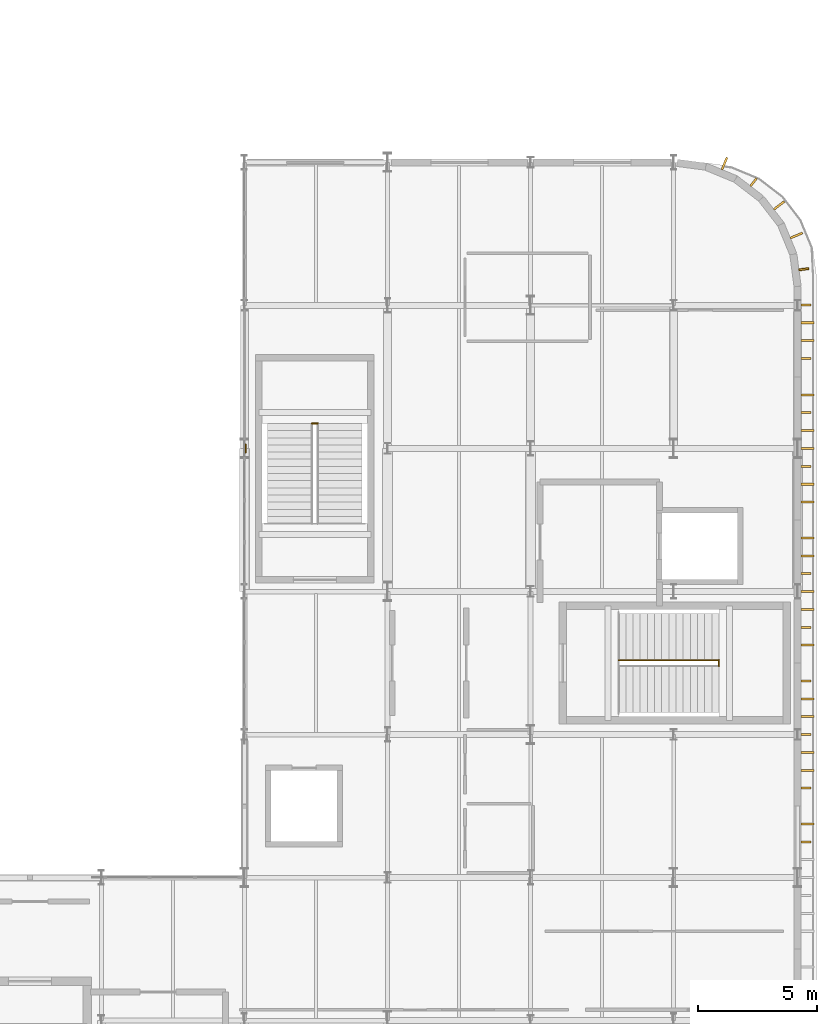
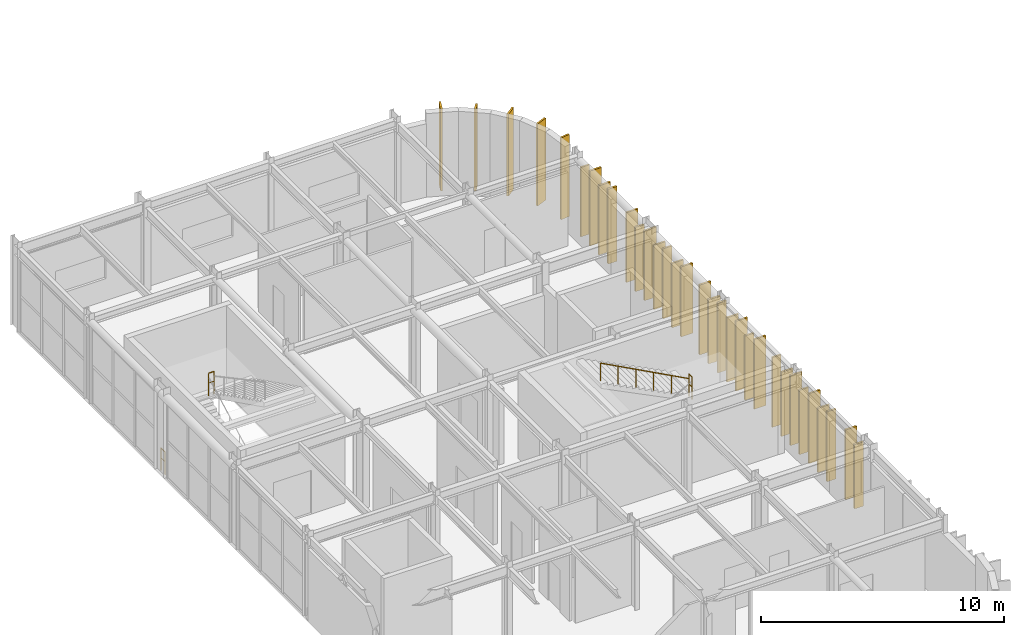
# One storey, part 83 of 84: 32 coverings, 4 railings.
"""IFC4 building model written with IfcOpenShell, lengths in metres."""

from ifc_helpers import new_model, si_unit, direction, frame, origin, origin_2d, place, context, subcontext, project, spatial, rectangle, circle, extrude, material, layer, layer_set, type_object, element, save


model = new_model("IFC4")

# Units and contexts
model_context = context("Model", 3, precision=1e-05, world=origin(), true_north=direction((0.0, 1.0)))
body_context = subcontext(model_context, "Body", "Model", "MODEL_VIEW")
ifc_project = project(units=[si_unit("LENGTHUNIT", "METRE"), si_unit("AREAUNIT", "SQUARE_METRE"), si_unit("VOLUMEUNIT", "CUBIC_METRE"), si_unit("PLANEANGLEUNIT", "RADIAN"), si_unit("MASSUNIT", "GRAM", prefix="KILO")], contexts=[model_context])

# Site, building, storey
site_placement = place(None, origin())
site = spatial("IfcSite", under=ifc_project, at=site_placement, CompositionType="ELEMENT")
building_placement = place(site_placement, origin())
building = spatial("IfcBuilding", under=site, at=building_placement, Name="Varnakota Square Police Headquarters", CompositionType="ELEMENT")
storey_placement = place(building_placement, frame((0.0, 0.0, 13.5)))
storey = spatial("IfcBuildingStorey", under=building, at=storey_placement, Name="L03", CompositionType="ELEMENT", Elevation=13.5)

# Coverings
ifc_material_1 = material(Name="White Anodised Aluminium Vertical Facade Blade 420", Category="aluminium")
ifc_layer_1 = layer(ifc_material_1, 0.0849609375, Name="White Anodised Aluminium Vertical Facade Blade 420")
ifc_layer_set_1 = layer_set([ifc_layer_1], Name="White Anodised Aluminium Vertical Facade Blade 420")
covering_type_1 = type_object("IfcCoveringType", Name="COV-FIN-420", PredefinedType="CLADDING", material=ifc_layer_set_1)
covering_1_placement = place(storey_placement, frame((161.554931640625, 16.5, 0.0400390625), z_axis=(0.0, 0.0, 1.0), x_axis=(0.0, 1.0, 0.0)))
element("IfcCovering", 1, at=covering_1_placement, inside=storey, type_object=covering_type_1, Name="Vertical aluminium facade fin FIN-0485", PredefinedType="CLADDING", context=body_context, shape_type="SweptSolid", body=[
    extrude(rectangle(XDim=0.0849609375, YDim=0.419921875, at=origin_2d()), origin(), (0.0, 0.0, 1.0), 3.22998046875),
])
covering_2_placement = place(storey_placement, frame((161.544921875, 18.75, 0.0400390625), z_axis=(0.0, 0.0, 1.0), x_axis=(0.0, 1.0, 0.0)))
element("IfcCovering", 2, at=covering_2_placement, inside=storey, type_object=covering_type_1, Name="Vertical aluminium facade fin FIN-0487", PredefinedType="CLADDING", context=body_context, shape_type="SweptSolid", body=[
    extrude(rectangle(XDim=0.0849609375, YDim=0.419921875, at=origin_2d()), origin(), (0.0, 0.0, 1.0), 3.510009765625),
])
covering_3_placement = place(storey_placement, frame((161.544921875, 21.0, 0.0400390625), z_axis=(0.0, 0.0, 1.0), x_axis=(0.0, 1.0, 0.0)))
element("IfcCovering", 3, at=covering_3_placement, inside=storey, type_object=covering_type_1, Name="Vertical aluminium facade fin FIN-0490", PredefinedType="CLADDING", context=body_context, shape_type="SweptSolid", body=[
    extrude(rectangle(XDim=0.0849609375, YDim=0.419921875, at=origin_2d()), origin(), (0.0, 0.0, 1.0), 3.22998046875),
])
covering_4_placement = place(storey_placement, frame((161.544921875, 23.25, 0.0400390625), z_axis=(0.0, 0.0, 1.0), x_axis=(0.0, 1.0, 0.0)))
element("IfcCovering", 4, at=covering_4_placement, inside=storey, type_object=covering_type_1, Name="Vertical aluminium facade fin FIN-0493", PredefinedType="CLADDING", context=body_context, shape_type="SweptSolid", body=[
    extrude(rectangle(XDim=0.0849609375, YDim=0.419921875, at=origin_2d()), origin(), (0.0, 0.0, 1.0), 3.510009765625),
])
covering_5_placement = place(storey_placement, frame((161.554931640625, 25.5, 0.0400390625), z_axis=(0.0, 0.0, 1.0), x_axis=(0.0, 1.0, 0.0)))
element("IfcCovering", 5, at=covering_5_placement, inside=storey, type_object=covering_type_1, Name="Vertical aluminium facade fin FIN-0495", PredefinedType="CLADDING", context=body_context, shape_type="SweptSolid", body=[
    extrude(rectangle(XDim=0.0849609375, YDim=0.419921875, at=origin_2d()), origin(), (0.0, 0.0, 1.0), 3.22998046875),
])
for number, where, z_axis, x_axis, name in (
    (6, (161.554931640625, 27.75, 0.0400390625), (0.0, 0.0, 1.0), (0.0, 1.0, 0.0), "Vertical aluminium facade fin FIN-0498"),
    (7, (161.544921875, 32.25, 0.0400390625), (0.0, 0.0, 1.0), (0.0, 1.0, 0.0), "Vertical aluminium facade fin FIN-0503"),
):
    element("IfcCovering", number, at=place(storey_placement, frame(where, z_axis=z_axis, x_axis=x_axis)), inside=storey, type_object=covering_type_1, Name=name, PredefinedType="CLADDING", context=body_context, shape_type="SweptSolid", body=[
        extrude(rectangle(XDim=0.0849609375, YDim=0.419921875, at=origin_2d()), origin(), (0.0, 0.0, 1.0), 3.510009765625),
    ])
covering_6_placement = place(storey_placement, frame((161.544921875, 34.5, 0.0400390625), z_axis=(0.0, 0.0, 1.0), x_axis=(0.0, 1.0, 0.0)))
element("IfcCovering", 8, at=covering_6_placement, inside=storey, type_object=covering_type_1, Name="Vertical aluminium facade fin FIN-0506", PredefinedType="CLADDING", context=body_context, shape_type="SweptSolid", body=[
    extrude(rectangle(XDim=0.0849609375, YDim=0.419921875, at=origin_2d()), origin(), (0.0, 0.0, 1.0), 3.22998046875),
])
covering_7_placement = place(storey_placement, frame((161.554931640625, 36.77490234375, 0.0400390625), z_axis=(0.0, 0.0, 1.0), x_axis=(0.0, 1.0, 0.0)))
element("IfcCovering", 9, at=covering_7_placement, inside=storey, type_object=covering_type_1, Name="Vertical aluminium facade fin FIN-0508", PredefinedType="CLADDING", context=body_context, shape_type="SweptSolid", body=[
    extrude(rectangle(XDim=0.0849609375, YDim=0.419921875, at=origin_2d()), origin(), (0.0, 0.0, 1.0), 3.760009765625),
])
covering_8_placement = place(storey_placement, frame((161.554931640625, 39.02490234375, 0.0400390625), z_axis=(0.0, 0.0, 1.0), x_axis=(0.0, 1.0, 0.0)))
element("IfcCovering", 10, at=covering_8_placement, inside=storey, type_object=covering_type_1, Name="Vertical aluminium facade fin FIN-0511", PredefinedType="CLADDING", context=body_context, shape_type="SweptSolid", body=[
    extrude(rectangle(XDim=0.0849609375, YDim=0.419921875, at=origin_2d()), origin(), (0.0, 0.0, 1.0), 3.47998046875),
])
for number, where, z_axis, x_axis, name in (
    (11, (161.46337890625, 40.519287109375, 0.0400390625), (0.0, 0.0, 1.0), (-0.13052619222, 0.991444861374, 0.0), "Vertical aluminium facade fin FIN-0523"),
    (12, (159.3544921875, 44.171875, 0.0400390625), (0.0, 0.0, 1.0), (-0.793353340291, 0.608761429009, 0.0), "Vertical aluminium facade fin FIN-0526"),
):
    element("IfcCovering", number, at=place(storey_placement, frame(where, z_axis=z_axis, x_axis=x_axis)), inside=storey, type_object=covering_type_1, Name=name, PredefinedType="CLADDING", context=body_context, shape_type="SweptSolid", body=[
        extrude(rectangle(XDim=0.0849609375, YDim=0.419921875, at=origin_2d()), origin(), (0.0, 0.0, 1.0), 4.114990234375),
    ])
ifc_material_2 = material(Name="White Anodised Aluminium Vertical Facade Blade 550", Category="aluminium")
ifc_layer_2 = layer(ifc_material_2, 0.0849609375, Name="White Anodised Aluminium Vertical Facade Blade 550")
ifc_layer_set_2 = layer_set([ifc_layer_2], Name="White Anodised Aluminium Vertical Facade Blade 550")
covering_type_2 = type_object("IfcCoveringType", Name="COV-FIN-550", PredefinedType="CLADDING", material=ifc_layer_set_2)
covering_9_placement = place(storey_placement, frame((161.6201171875, 17.25, 0.0400390625), z_axis=(0.0, 0.0, 1.0), x_axis=(0.0, 1.0, 0.0)))
element("IfcCovering", 13, at=covering_9_placement, inside=storey, type_object=covering_type_2, Name="Vertical aluminium facade fin FIN-0486", PredefinedType="CLADDING", context=body_context, shape_type="SweptSolid", body=[
    extrude(rectangle(XDim=0.0849609375, YDim=0.550048828125, at=origin_2d()), origin(), (0.0, 0.0, 1.0), 3.510009765625),
])
covering_10_placement = place(storey_placement, frame((161.610107421875, 19.5, 0.0400390625), z_axis=(0.0, 0.0, 1.0), x_axis=(0.0, 1.0, 0.0)))
element("IfcCovering", 14, at=covering_10_placement, inside=storey, type_object=covering_type_2, Name="Vertical aluminium facade fin FIN-0488", PredefinedType="CLADDING", context=body_context, shape_type="SweptSolid", body=[
    extrude(rectangle(XDim=0.0849609375, YDim=0.550048828125, at=origin_2d()), origin(), (0.0, 0.0, 1.0), 3.22998046875),
])
for number, where, z_axis, x_axis, name in (
    (15, (161.610107421875, 20.25, 0.0400390625), (0.0, 0.0, 1.0), (0.0, 1.0, 0.0), "Vertical aluminium facade fin FIN-0489"),
    (16, (161.610107421875, 21.75, 0.0400390625), (0.0, 0.0, 1.0), (0.0, 1.0, 0.0), "Vertical aluminium facade fin FIN-0491"),
):
    element("IfcCovering", number, at=place(storey_placement, frame(where, z_axis=z_axis, x_axis=x_axis)), inside=storey, type_object=covering_type_2, Name=name, PredefinedType="CLADDING", context=body_context, shape_type="SweptSolid", body=[
        extrude(rectangle(XDim=0.0849609375, YDim=0.550048828125, at=origin_2d()), origin(), (0.0, 0.0, 1.0), 3.510009765625),
    ])
covering_11_placement = place(storey_placement, frame((161.610107421875, 22.5, 0.0400390625), z_axis=(0.0, 0.0, 1.0), x_axis=(0.0, 1.0, 0.0)))
element("IfcCovering", 17, at=covering_11_placement, inside=storey, type_object=covering_type_2, Name="Vertical aluminium facade fin FIN-0492", PredefinedType="CLADDING", context=body_context, shape_type="SweptSolid", body=[
    extrude(rectangle(XDim=0.0849609375, YDim=0.550048828125, at=origin_2d()), origin(), (0.0, 0.0, 1.0), 3.22998046875),
])
for number, where, z_axis, x_axis, name in (
    (18, (161.6201171875, 24.75, 0.0400390625), (0.0, 0.0, 1.0), (0.0, 1.0, 0.0), "Vertical aluminium facade fin FIN-0494"),
    (19, (161.6201171875, 26.25, 0.0400390625), (0.0, 0.0, 1.0), (0.0, 1.0, 0.0), "Vertical aluminium facade fin FIN-0496"),
):
    element("IfcCovering", number, at=place(storey_placement, frame(where, z_axis=z_axis, x_axis=x_axis)), inside=storey, type_object=covering_type_2, Name=name, PredefinedType="CLADDING", context=body_context, shape_type="SweptSolid", body=[
        extrude(rectangle(XDim=0.0849609375, YDim=0.550048828125, at=origin_2d()), origin(), (0.0, 0.0, 1.0), 3.510009765625),
    ])
for number, where, z_axis, x_axis, name in (
    (20, (161.6201171875, 27.0, 0.0400390625), (0.0, 0.0, 1.0), (0.0, 1.0, 0.0), "Vertical aluminium facade fin FIN-0497"),
    (21, (161.6201171875, 28.5, 0.0400390625), (0.0, 0.0, 1.0), (0.0, 1.0, 0.0), "Vertical aluminium facade fin FIN-0499"),
):
    element("IfcCovering", number, at=place(storey_placement, frame(where, z_axis=z_axis, x_axis=x_axis)), inside=storey, type_object=covering_type_2, Name=name, PredefinedType="CLADDING", context=body_context, shape_type="SweptSolid", body=[
        extrude(rectangle(XDim=0.0849609375, YDim=0.550048828125, at=origin_2d()), origin(), (0.0, 0.0, 1.0), 3.22998046875),
    ])
for number, where, z_axis, x_axis, name in (
    (22, (161.6201171875, 29.25, 0.0400390625), (0.0, 0.0, 1.0), (0.0, 1.0, 0.0), "Vertical aluminium facade fin FIN-0500"),
    (23, (161.610107421875, 30.75, 0.0400390625), (0.0, 0.0, 1.0), (0.0, 1.0, 0.0), "Vertical aluminium facade fin FIN-0501"),
):
    element("IfcCovering", number, at=place(storey_placement, frame(where, z_axis=z_axis, x_axis=x_axis)), inside=storey, type_object=covering_type_2, Name=name, PredefinedType="CLADDING", context=body_context, shape_type="SweptSolid", body=[
        extrude(rectangle(XDim=0.0849609375, YDim=0.550048828125, at=origin_2d()), origin(), (0.0, 0.0, 1.0), 3.510009765625),
    ])
for number, where, z_axis, x_axis, name in (
    (24, (161.610107421875, 31.5, 0.0400390625), (0.0, 0.0, 1.0), (0.0, 1.0, 0.0), "Vertical aluminium facade fin FIN-0502"),
    (25, (161.610107421875, 33.0, 0.0400390625), (0.0, 0.0, 1.0), (0.0, 1.0, 0.0), "Vertical aluminium facade fin FIN-0504"),
):
    element("IfcCovering", number, at=place(storey_placement, frame(where, z_axis=z_axis, x_axis=x_axis)), inside=storey, type_object=covering_type_2, Name=name, PredefinedType="CLADDING", context=body_context, shape_type="SweptSolid", body=[
        extrude(rectangle(XDim=0.0849609375, YDim=0.550048828125, at=origin_2d()), origin(), (0.0, 0.0, 1.0), 3.22998046875),
    ])
for number, where, z_axis, x_axis, name in (
    (26, (161.610107421875, 33.75, 0.0400390625), (0.0, 0.0, 1.0), (0.0, 1.0, 0.0), "Vertical aluminium facade fin FIN-0505"),
    (27, (161.610107421875, 35.25, 0.0400390625), (0.0, 0.0, 1.0), (0.0, 1.0, 0.0), "Vertical aluminium facade fin FIN-0507"),
):
    element("IfcCovering", number, at=place(storey_placement, frame(where, z_axis=z_axis, x_axis=x_axis)), inside=storey, type_object=covering_type_2, Name=name, PredefinedType="CLADDING", context=body_context, shape_type="SweptSolid", body=[
        extrude(rectangle(XDim=0.0849609375, YDim=0.550048828125, at=origin_2d()), origin(), (0.0, 0.0, 1.0), 3.510009765625),
    ])
covering_12_placement = place(storey_placement, frame((161.6201171875, 37.52490234375, 0.0400390625), z_axis=(0.0, 0.0, 1.0), x_axis=(0.0, 1.0, 0.0)))
element("IfcCovering", 28, at=covering_12_placement, inside=storey, type_object=covering_type_2, Name="Vertical aluminium facade fin FIN-0509", PredefinedType="CLADDING", context=body_context, shape_type="SweptSolid", body=[
    extrude(rectangle(XDim=0.0849609375, YDim=0.550048828125, at=origin_2d()), origin(), (0.0, 0.0, 1.0), 3.47998046875),
])
covering_13_placement = place(storey_placement, frame((161.6201171875, 38.27490234375, 0.0400390625), z_axis=(0.0, 0.0, 1.0), x_axis=(0.0, 1.0, 0.0)))
element("IfcCovering", 29, at=covering_13_placement, inside=storey, type_object=covering_type_2, Name="Vertical aluminium facade fin FIN-0510", PredefinedType="CLADDING", context=body_context, shape_type="SweptSolid", body=[
    extrude(rectangle(XDim=0.0849609375, YDim=0.550048828125, at=origin_2d()), origin(), (0.0, 0.0, 1.0), 3.760009765625),
])
for number, where, z_axis, x_axis, name in (
    (30, (161.151123046875, 41.93359375, 0.0400390625), (0.0, 0.0, 1.0), (-0.382683432365, 0.923879532511, 0.0), "Vertical aluminium facade fin FIN-0524"),
    (31, (160.42333984375, 43.194091796875, 0.0400390625), (0.0, 0.0, 1.0), (-0.608761429009, 0.793353340291, 0.0), "Vertical aluminium facade fin FIN-0525"),
    (32, (158.1337890625, 44.951171875, 0.0400390625), (0.0, 0.0, 1.0), (-0.923879532511, 0.382683432365, 0.0), "Vertical aluminium facade fin FIN-0527"),
):
    element("IfcCovering", number, at=place(storey_placement, frame(where, z_axis=z_axis, x_axis=x_axis)), inside=storey, type_object=covering_type_2, Name=name, PredefinedType="CLADDING", context=body_context, shape_type="SweptSolid", body=[
        extrude(rectangle(XDim=0.0849609375, YDim=0.550048828125, at=origin_2d()), origin(), (0.0, 0.0, 1.0), 4.114990234375),
    ])

# Railings
ifc_material_3 = material(Name="Galvanised Powder-Coated Steel Guardrail", Category="steel")
railing_type_1 = type_object("IfcRailingType", Name="RL-BAL-1150", PredefinedType="BALUSTRADE", material=ifc_material_3)
railing_1_placement = place(storey_placement, frame((138.050048828125, 32.82958984375, 0.0)))
element("IfcRailing", 33, at=railing_1_placement, inside=storey, type_object=railing_type_1, Name="Perimeter edge safety guard GD-AUTO-L03-068", PredefinedType="BALUSTRADE", context=body_context, shape_type="SweptSolid", body=[
    extrude(circle(Radius=0.02392578125, at=origin_2d()), frame((0.0, 0.0, 1.1259765625), z_axis=(0.0, 1.0, 0.0), x_axis=(-1.0, 0.0, 0.0)), (0.0, 0.0, 1.0), 0.3408203125),
    extrude(circle(Radius=0.01806640625, at=origin_2d()), frame((0.0, 0.0, 0.63232421875), z_axis=(0.0, 1.0, 0.0), x_axis=(-1.0, 0.0, 0.0)), (0.0, 0.0, 1.0), 0.3408203125),
    extrude(circle(Radius=0.02099609375, at=origin_2d()), origin(), (0.0, 0.0, 1.0), 1.101806640625),
    extrude(circle(Radius=0.02099609375, at=origin_2d()), frame((0.0, 0.3408203125, 0.0)), (0.0, 0.0, 1.0), 1.101806640625),
])
ifc_material_4 = material(Name="Brushed Stainless Steel Tubular Handrail", Category="steel")
railing_type_2 = type_object("IfcRailingType", Name="RL-HND-920", PredefinedType="HANDRAIL", material=ifc_material_4)
railing_2_placement = place(storey_placement, frame((157.900634765625, 24.1201171875, 2.25)))
element("IfcRailing", 34, at=railing_2_placement, inside=storey, type_object=railing_type_2, Name="Stair flight handrail HR-L03-022", PredefinedType="HANDRAIL", context=body_context, shape_type="SweptSolid", body=[
    extrude(circle(Radius=0.02392578125, at=origin_2d()), frame((0.0, 0.0, 0.89599609375), z_axis=(-0.881511956786, 0.0, 0.472161699043), x_axis=(0.0, -1.0, 0.0)), (0.0, 0.0, 1.0), 4.765380859375),
    extrude(circle(Radius=0.02099609375, at=origin_2d()), origin(), (0.0, 0.0, 1.0), 0.871826171875),
    extrude(circle(Radius=0.02099609375, at=origin_2d()), frame((-0.840087890625, 0.0, 0.449951171875)), (0.0, 0.0, 1.0), 0.871826171875),
    extrude(circle(Radius=0.02099609375, at=origin_2d()), frame((-1.68017578125, 0.0, 0.89990234375)), (0.0, 0.0, 1.0), 0.871826171875),
    extrude(circle(Radius=0.02099609375, at=origin_2d()), frame((-2.5205078125, 0.0, 1.35009765625)), (0.0, 0.0, 1.0), 0.871826171875),
    extrude(circle(Radius=0.02099609375, at=origin_2d()), frame((-3.360595703125, 0.0, 1.800048828125)), (0.0, 0.0, 1.0), 0.871826171875),
    extrude(circle(Radius=0.02099609375, at=origin_2d()), frame((-4.20068359375, 0.0, 2.25)), (0.0, 0.0, 1.0), 0.871826171875),
])
ifc_material_5 = material(Name="Laminated Glass and Stainless Steel Balustrade", Category="steel")
railing_type_3 = type_object("IfcRailingType", Name="RL-INT-1150", PredefinedType="BALUSTRADE", material=ifc_material_5)
railing_3_placement = place(storey_placement, frame((157.900634765625, 23.869873046875, 2.25)))
element("IfcRailing", 35, at=railing_3_placement, inside=storey, type_object=railing_type_3, Name="Half-landing well guard C2 L03", PredefinedType="BALUSTRADE", context=body_context, shape_type="SweptSolid", body=[
    extrude(circle(Radius=0.02392578125, at=origin_2d()), frame((0.0, 0.0, 1.1259765625), z_axis=(0.0, 1.0, 0.0), x_axis=(-1.0, 0.0, 0.0)), (0.0, 0.0, 1.0), 0.26025390625),
    extrude(circle(Radius=0.01806640625, at=origin_2d()), frame((0.0, 0.0, 0.63232421875), z_axis=(0.0, 1.0, 0.0), x_axis=(-1.0, 0.0, 0.0)), (0.0, 0.0, 1.0), 0.26025390625),
    extrude(circle(Radius=0.02099609375, at=origin_2d()), origin(), (0.0, 0.0, 1.0), 1.101806640625),
    extrude(circle(Radius=0.02099609375, at=origin_2d()), frame((0.0, 0.26025390625, 0.0)), (0.0, 0.0, 1.0), 1.101806640625),
])
railing_4_placement = place(storey_placement, frame((140.81982421875, 34.05078125, 2.25)))
element("IfcRailing", 36, at=railing_4_placement, inside=storey, type_object=railing_type_3, Name="Half-landing well guard C3 L03", PredefinedType="BALUSTRADE", context=body_context, shape_type="SweptSolid", body=[
    extrude(circle(Radius=0.02392578125, at=origin_2d()), frame((0.0, 0.0, 1.1259765625), z_axis=(1.0, 0.0, 0.0), x_axis=(0.0, 1.0, 0.0)), (0.0, 0.0, 1.0), 0.26025390625),
    extrude(circle(Radius=0.01806640625, at=origin_2d()), frame((0.0, 0.0, 0.63232421875), z_axis=(1.0, 0.0, 0.0), x_axis=(0.0, 1.0, 0.0)), (0.0, 0.0, 1.0), 0.26025390625),
    extrude(circle(Radius=0.02099609375, at=origin_2d()), origin(), (0.0, 0.0, 1.0), 1.101806640625),
    extrude(circle(Radius=0.02099609375, at=origin_2d()), frame((0.26025390625, 0.0, 0.0)), (0.0, 0.0, 1.0), 1.101806640625),
])

save(model, "model.ifc")
